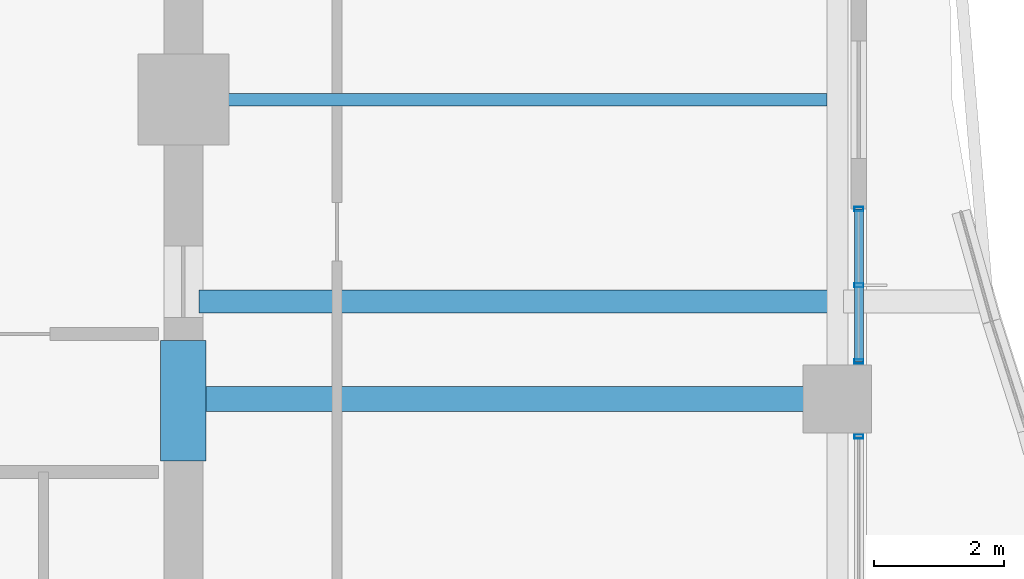
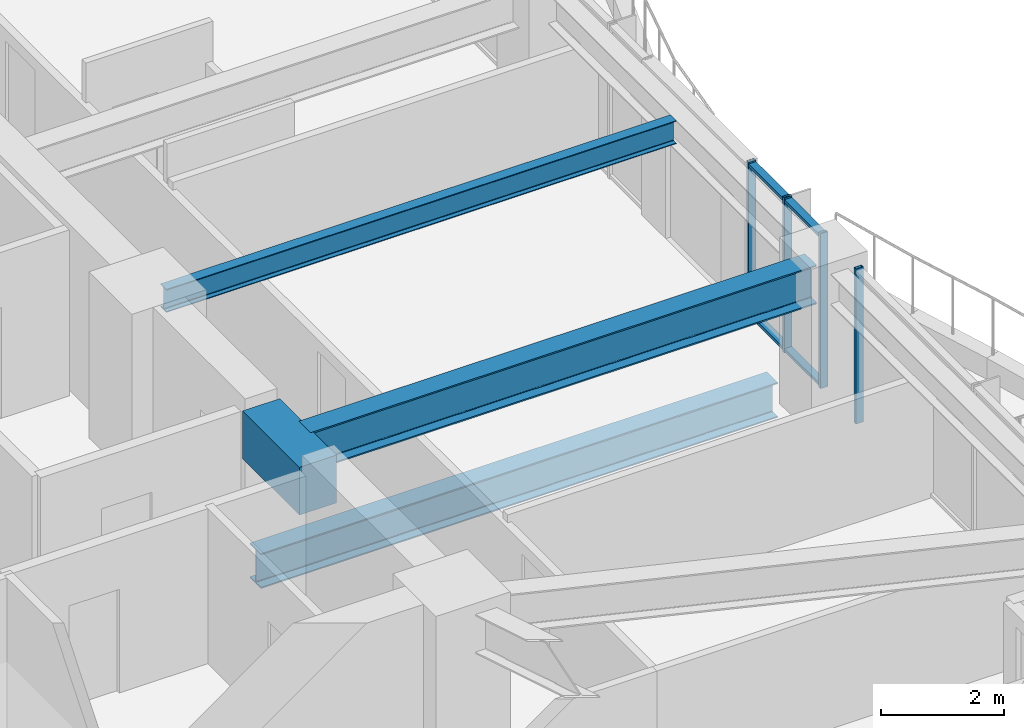
# One storey, part 13 of 38: 6 members, 4 beams, 2 elements without a shape of their own.
"""IFC4 building model written with IfcOpenShell, lengths in metres."""

from ifc_helpers import new_model, si_unit, direction, frame, origin, origin_2d, place, context, subcontext, project, spatial, rectangle, hollow_rectangle, i_section, extrude, material, material_profile, profile_set, type_object, element, aggregate, save


model = new_model("IFC4")

# Units and contexts
model_context = context("Model", 3, precision=1e-05, world=origin(), true_north=direction((0.0, 1.0)))
body_context = subcontext(model_context, "Body", "Model", "MODEL_VIEW")
ifc_project = project(units=[si_unit("LENGTHUNIT", "METRE"), si_unit("AREAUNIT", "SQUARE_METRE"), si_unit("VOLUMEUNIT", "CUBIC_METRE"), si_unit("PLANEANGLEUNIT", "RADIAN"), si_unit("MASSUNIT", "GRAM", prefix="KILO")], contexts=[model_context])

# Site, building, storey
site_placement = place(None, origin())
site = spatial("IfcSite", under=ifc_project, at=site_placement, CompositionType="ELEMENT")
building_placement = place(site_placement, origin())
building = spatial("IfcBuilding", under=site, at=building_placement, Name="Kolvaren Belvedere", CompositionType="ELEMENT")
storey_placement = place(building_placement, frame((0.0, 0.0, 101.89990234375)))
storey = spatial("IfcBuildingStorey", under=building, at=storey_placement, Name="L29", CompositionType="ELEMENT", Elevation=101.89990234375)

# Beams
ifc_material_1 = material(Name="Structural steel ASTM A992 Grade 50", Category="steel")
ifc_material_profile_1 = material_profile(ifc_material_1, i_section(OverallWidth=0.35498046875, OverallDepth=0.696044921875, WebThickness=0.015380859375, FlangeThickness=0.02490234375, FilletRadius=0.02197265625, at=origin_2d()), Name="W27X146")
ifc_profile_set_1 = profile_set([ifc_material_profile_1], Name="Structural steel ASTM A992 Grade 50")
beam_type_1 = type_object("IfcBeamType", Name="BM-GIRD-W27X146", PredefinedType="BEAM", material=ifc_profile_set_1)
beam_1_placement = place(storey_placement, frame((10.139892578125, -3.10009765625, -0.56787109375), z_axis=(1.0, 0.0, 0.0), x_axis=(0.0, 1.0, 0.0)))
element("IfcBeam", 1, at=beam_1_placement, inside=storey, type_object=beam_type_1, Name="L29 Balcony Interior Back-Span Girder BAL-E-1", PredefinedType="BEAM", context=body_context, shape_type="SweptSolid", body=[
    extrude(i_section(OverallWidth=0.35498046875, OverallDepth=0.696044921875, WebThickness=0.015380859375, FlangeThickness=0.02490234375, FilletRadius=0.02197265625, at=origin_2d()), origin(), (0.0, 0.0, 1.0), 9.715087890625),
])
ifc_material_2 = material(Name="Structural steel ASTM A992 Grade 50", Category="steel")
ifc_material_profile_2 = material_profile(ifc_material_2, i_section(OverallWidth=0.381103515625, OverallDepth=0.77294921875, WebThickness=0.0166015625, FlangeThickness=0.027099609375, FilletRadius=0.02392578125, at=origin_2d()), Name="W30X173")
ifc_profile_set_2 = profile_set([ifc_material_profile_2], Name="Structural steel ASTM A992 Grade 50")
beam_type_2 = type_object("IfcBeamType", Name="BM-GIRD-W30X173", PredefinedType="BEAM", material=ifc_profile_set_2)
beam_2_placement = place(storey_placement, frame((10.199951171875, -4.60009765625, 2.693603515625), z_axis=(1.0, 0.0, 0.0), x_axis=(0.0, 1.0, 0.0)))
element("IfcBeam", 2, at=beam_2_placement, inside=storey, type_object=beam_type_2, Name="L29 East Radial Girder M", PredefinedType="BEAM", context=body_context, shape_type="SweptSolid", body=[
    extrude(i_section(OverallWidth=0.381103515625, OverallDepth=0.77294921875, WebThickness=0.0166015625, FlangeThickness=0.027099609375, FilletRadius=0.02392578125, at=origin_2d()), origin(), (0.0, 0.0, 1.0), 9.513916015625),
])
ifc_material_3 = material(Name="Structural steel ASTM A992 Grade 50", Category="steel")
ifc_material_profile_3 = material_profile(ifc_material_3, i_section(OverallWidth=0.19091796875, OverallDepth=0.4599609375, WebThickness=0.010009765625, FlangeThickness=0.01611328125, FilletRadius=0.014892578125, at=origin_2d()), Name="W18X55")
ifc_profile_set_3 = profile_set([ifc_material_profile_3], Name="Structural steel ASTM A992 Grade 50")
beam_type_3 = type_object("IfcBeamType", Name="BM-JOIST-W18X55", PredefinedType="BEAM", material=ifc_profile_set_3)
beam_3_placement = place(storey_placement, frame((10.199951171875, 0.0, 2.85009765625), z_axis=(1.0, 0.0, 0.0), x_axis=(0.0, 1.0, 0.0)))
element("IfcBeam", 3, at=beam_3_placement, inside=storey, type_object=beam_type_3, Name="L29 East Centre Floor Beam", PredefinedType="BEAM", context=body_context, shape_type="SweptSolid", body=[
    extrude(i_section(OverallWidth=0.19091796875, OverallDepth=0.4599609375, WebThickness=0.010009765625, FlangeThickness=0.01611328125, FilletRadius=0.014892578125, at=origin_2d()), origin(), (0.0, 0.0, 1.0), 9.587646484375),
])
ifc_material_4 = material(Name="Concrete C60/75", Category="concrete")
ifc_material_profile_4 = material_profile(ifc_material_4, rectangle(XDim=0.699951171875, YDim=0.949951171875, at=origin_2d()), Name="RC 700X950")
ifc_profile_set_4 = profile_set([ifc_material_profile_4], Name="Concrete C60/75")
beam_type_4 = type_object("IfcBeamType", Name="BM-LINT-950", PredefinedType="LINTEL", material=ifc_profile_set_4)
beam_4_placement = place(storey_placement, frame((9.89990234375, -5.550048828125, 2.60498046875), z_axis=(0.0, 1.0, 0.0), x_axis=(-1.0, 0.0, 0.0)))
element("IfcBeam", 4, at=beam_4_placement, inside=storey, type_object=beam_type_4, Name="L29 East Core Coupling Lintel", PredefinedType="LINTEL", context=body_context, shape_type="SweptSolid", body=[
    extrude(rectangle(XDim=0.699951171875, YDim=0.949951171875, at=origin_2d()), origin(), (0.0, 0.0, 1.0), 1.85009765625),
])

# Curtain wall, members
ifc_material_5 = material(Name="Anodised pale-metal aluminium AA 6063-T6", Category="aluminium")
curtain_wall_type = type_object("IfcCurtainWallType", Name="CW-Z2-MID", PredefinedType="NOTDEFINED", material=ifc_material_5)
curtain_wall_1_placement = place(storey_placement, origin())
curtain_wall_1 = element("IfcCurtainWall", 5, at=curtain_wall_1_placement, inside=storey, type_object=curtain_wall_type, Name="L29 Unitised Curtain Wall FCW-L29-E2-B1", PredefinedType="NOTDEFINED")
ifc_material_6 = material(Name="Anodised pale-metal aluminium AA 6063-T6", Category="aluminium")
ifc_material_profile_5 = material_profile(ifc_material_6, hollow_rectangle(XDim=0.06494140625, YDim=0.139892578125, WallThickness=0.00390625, at=origin_2d()), Name="ALU-MUL-140X65")
ifc_profile_set_5 = profile_set([ifc_material_profile_5], Name="Anodised pale-metal aluminium AA 6063-T6")
member_type_1 = type_object("IfcMemberType", Name="CW-MUL-140", PredefinedType="MULLION", material=ifc_profile_set_5)
member_1_placement = place(storey_placement, frame((20.280029296875, -1.679931640625, 0.0), z_axis=(0.0, 0.0, 1.0), x_axis=(0.0, 1.0, 0.0)))
member_1 = element("IfcMember", 6, at=member_1_placement, type_object=member_type_1, Name="FCW-L29-E2-B1 Unitised Mullion 1", PredefinedType="MULLION", context=body_context, shape_type="SweptSolid", body=[
    extrude(hollow_rectangle(XDim=0.06494140625, YDim=0.139892578125, WallThickness=0.00390625, at=origin_2d()), origin(), (0.0, 0.0, 1.0), 3.080078125),
])
member_2_placement = place(storey_placement, frame((20.280029296875, -2.851318359375, 0.0), z_axis=(0.0, 0.0, 1.0), x_axis=(0.0, 1.0, 0.0)))
member_2 = element("IfcMember", 7, at=member_2_placement, type_object=member_type_1, Name="FCW-L29-E2-B1 Unitised Mullion 2", PredefinedType="MULLION", context=body_context, shape_type="SweptSolid", body=[
    extrude(hollow_rectangle(XDim=0.06494140625, YDim=0.139892578125, WallThickness=0.00390625, at=origin_2d()), origin(), (0.0, 0.0, 1.0), 3.080078125),
])
member_3_placement = place(storey_placement, frame((20.280029296875, -4.0224609375, 0.0), z_axis=(0.0, 0.0, 1.0), x_axis=(0.0, 1.0, 0.0)))
member_3 = element("IfcMember", 8, at=member_3_placement, type_object=member_type_1, Name="FCW-L29-E2-B1 Unitised Mullion 3", PredefinedType="MULLION", context=body_context, shape_type="SweptSolid", body=[
    extrude(hollow_rectangle(XDim=0.06494140625, YDim=0.139892578125, WallThickness=0.00390625, at=origin_2d()), origin(), (0.0, 0.0, 1.0), 3.080078125),
])

# Curtain wall, member
curtain_wall_2_placement = place(storey_placement, origin())
curtain_wall_2 = element("IfcCurtainWall", 9, at=curtain_wall_2_placement, inside=storey, type_object=curtain_wall_type, Name="L29 Unitised Curtain Wall FCW-L29-E2-B2", PredefinedType="NOTDEFINED")
member_4_placement = place(storey_placement, frame((20.280029296875, -5.177490234375, 0.0), z_axis=(0.0, 0.0, 1.0), x_axis=(0.0, 1.0, 0.0)))
member_4 = element("IfcMember", 10, at=member_4_placement, type_object=member_type_1, Name="FCW-L29-E2-B2 Unitised Mullion 1", PredefinedType="MULLION", context=body_context, shape_type="SweptSolid", body=[
    extrude(hollow_rectangle(XDim=0.06494140625, YDim=0.139892578125, WallThickness=0.00390625, at=origin_2d()), origin(), (0.0, 0.0, 1.0), 3.080078125),
])
aggregate(curtain_wall_2, [member_4])

# Member
ifc_material_7 = material(Name="Anodised pale-metal aluminium AA 6063-T6", Category="aluminium")
ifc_material_profile_6 = material_profile(ifc_material_7, hollow_rectangle(XDim=0.06005859375, YDim=0.139892578125, WallThickness=0.00390625, at=origin_2d()), Name="ALU-TRN-140X60")
ifc_profile_set_6 = profile_set([ifc_material_profile_6], Name="Anodised pale-metal aluminium AA 6063-T6")
member_type_2 = type_object("IfcMemberType", Name="CW-TRN-140", PredefinedType="USERDEFINED", material=ifc_profile_set_6)
member_5_placement = place(storey_placement, frame((20.280029296875, -1.679931640625, 0.06005859375), z_axis=(0.0, -1.0, 0.0), x_axis=(0.0, 0.0, 1.0)))
member_5 = element("IfcMember", 11, at=member_5_placement, type_object=member_type_2, Name="FCW-L29-E2-B1 Sill Transom", ObjectType="TRANSOM", PredefinedType="USERDEFINED", context=body_context, shape_type="SweptSolid", body=[
    extrude(hollow_rectangle(XDim=0.06005859375, YDim=0.139892578125, WallThickness=0.00390625, at=origin_2d()), origin(), (0.0, 0.0, 1.0), 2.342529296875),
])

member_6_placement = place(storey_placement, frame((20.280029296875, -1.679931640625, 3.02001953125), z_axis=(0.0, -1.0, 0.0), x_axis=(0.0, 0.0, 1.0)))
member_6 = element("IfcMember", 12, at=member_6_placement, type_object=member_type_2, Name="FCW-L29-E2-B1 Head Transom", ObjectType="TRANSOM", PredefinedType="USERDEFINED", context=body_context, shape_type="SweptSolid", body=[
    extrude(hollow_rectangle(XDim=0.06005859375, YDim=0.139892578125, WallThickness=0.00390625, at=origin_2d()), origin(), (0.0, 0.0, 1.0), 2.342529296875),
])

aggregate(curtain_wall_1, [member_1, member_2, member_3, member_5, member_6])

save(model, "model.ifc")
